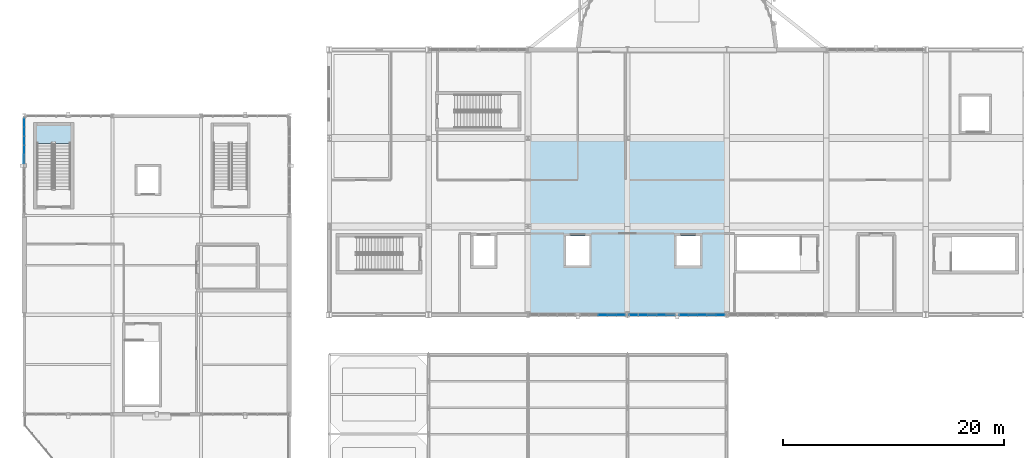
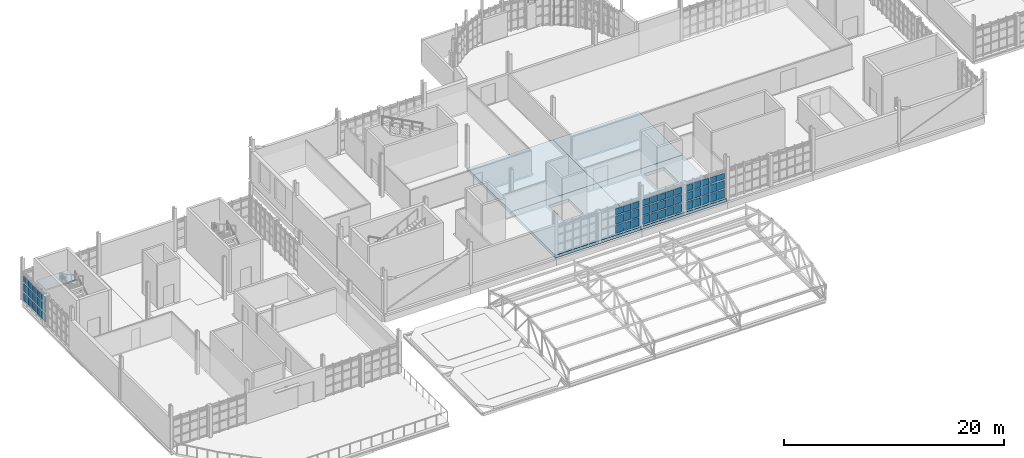
# One storey, part 86 of 128: 54 plates, 5 slabs, 5 elements without a shape of their own.
"""IFC4 building model written with IfcOpenShell, lengths in metres."""

from ifc_helpers import new_model, si_unit, direction, frame, origin, origin_2d, place, context, subcontext, project, spatial, polyline, rectangle, outline, extrude, material, layer, layer_set, type_object, element, aggregate, save


model = new_model("IFC4")

# Units and contexts
model_context = context("Model", 3, precision=1e-05, world=origin(), true_north=direction((0.0, 1.0)))
body_context = subcontext(model_context, "Body", "Model", "MODEL_VIEW")
ifc_project = project(units=[si_unit("LENGTHUNIT", "METRE"), si_unit("AREAUNIT", "SQUARE_METRE"), si_unit("VOLUMEUNIT", "CUBIC_METRE"), si_unit("PLANEANGLEUNIT", "RADIAN"), si_unit("MASSUNIT", "GRAM", prefix="KILO")], contexts=[model_context])

# Site, building, storey
site_placement = place(None, origin())
site = spatial("IfcSite", under=ifc_project, at=site_placement, CompositionType="ELEMENT")
building_placement = place(site_placement, origin())
building = spatial("IfcBuilding", under=site, at=building_placement, Name="Serraforn Aerial Cableway Station", CompositionType="ELEMENT")
storey_placement = place(building_placement, frame((0.0, 0.0, 9.0)))
storey = spatial("IfcBuildingStorey", under=building, at=storey_placement, Name="L02", CompositionType="ELEMENT", Elevation=9.0)

# Curtain wall, plates
ifc_material_1 = material(Name="Anodised bronze unitised curtain wall")
curtain_wall_type_1 = type_object("IfcCurtainWallType", Name="CW-SYS-3", PredefinedType="USERDEFINED", material=ifc_material_1)
curtain_wall_1_placement = place(storey_placement, origin())
curtain_wall_1 = element("IfcCurtainWall", 1, at=curtain_wall_1_placement, inside=storey, type_object=curtain_wall_type_1, Name="Unitised Curtain Wall CW-W-L02-W3A", ObjectType="UNITISED CURTAIN WALL", PredefinedType="USERDEFINED")
ifc_material_2 = material(Name="Solar-control low-E double glazing", Category="glass")
ifc_layer_1 = layer(ifc_material_2, 0.02587890625)
ifc_layer_set_1 = layer_set([ifc_layer_1], Name="Solar-control low-E double glazing")
plate_type_1 = type_object("IfcPlateType", Name="CW-GLZ-1", PredefinedType="CURTAIN_PANEL", material=ifc_layer_set_1)
plate_1_placement = place(storey_placement, frame((0.0, 35.39404296875, 1.23583984375), z_axis=(0.0, 0.0, 1.0), x_axis=(1.0, 0.0, 0.0)))
plate_1 = element("IfcPlate", 2, at=plate_1_placement, type_object=plate_type_1, Name="Curtain Wall Panel CW-W-L02-W3A-P1-2", PredefinedType="CURTAIN_PANEL", context=body_context, shape_type="SweptSolid", body=[
    extrude(rectangle(XDim=0.02587890625, YDim=0.739990234375, at=origin_2d()), origin(), (0.0, 0.0, 1.0), 0.87255859375),
])
plate_2_placement = place(storey_placement, frame((0.0, 34.58056640625, 0.209716796875), z_axis=(0.0, 0.0, 1.0), x_axis=(1.0, 0.0, 0.0)))
plate_2 = element("IfcPlate", 3, at=plate_2_placement, type_object=plate_type_1, Name="Curtain Wall Panel CW-W-L02-W3A-P2-1", PredefinedType="CURTAIN_PANEL", context=body_context, shape_type="SweptSolid", body=[
    extrude(rectangle(XDim=0.02587890625, YDim=0.764892578125, at=origin_2d()), origin(), (0.0, 0.0, 1.0), 0.87255859375),
])

# Curtain wall, plate
curtain_wall_type_2 = type_object("IfcCurtainWallType", Name="CW-SYS-22", PredefinedType="USERDEFINED", material=ifc_material_1)
curtain_wall_2_placement = place(storey_placement, origin())
curtain_wall_2 = element("IfcCurtainWall", 4, at=curtain_wall_2_placement, inside=storey, type_object=curtain_wall_type_2, Name="Unitised Curtain Wall CW-CV-L02-S4B", ObjectType="UNITISED CURTAIN WALL", PredefinedType="USERDEFINED")
plate_3_placement = place(storey_placement, frame((63.0185546875, 18.0, 2.26171875), z_axis=(0.0, 0.0, 1.0), x_axis=(1.0, 0.0, 0.0)))
plate_3 = element("IfcPlate", 5, at=plate_3_placement, type_object=plate_type_1, Name="Curtain Wall Panel CW-CV-L02-S4B-P5-3", PredefinedType="CURTAIN_PANEL", context=body_context, shape_type="SweptSolid", body=[
    extrude(rectangle(XDim=0.7509765625, YDim=0.02587890625, at=origin_2d()), origin(), (0.0, 0.0, 1.0), 0.667236328125),
])

# Plate
ifc_layer_2 = layer(ifc_material_2, 0.028076171875)
ifc_layer_set_2 = layer_set([ifc_layer_2], Name="Solar-control low-E double glazing")
plate_type_2 = type_object("IfcPlateType", Name="CW-GLZ-2", PredefinedType="CURTAIN_PANEL", material=ifc_layer_set_2)
plate_4_placement = place(storey_placement, frame((0.0, 35.39404296875, 2.26953125), z_axis=(0.0, 0.0, 1.0), x_axis=(1.0, 0.0, 0.0)))
plate_4 = element("IfcPlate", 6, at=plate_4_placement, type_object=plate_type_2, Name="Curtain Wall Panel CW-W-L02-W3A-P1-3", PredefinedType="CURTAIN_PANEL", context=body_context, shape_type="SweptSolid", body=[
    extrude(rectangle(XDim=0.028076171875, YDim=0.739990234375, at=origin_2d()), origin(), (0.0, 0.0, 1.0), 0.687255859375),
])

plate_5_placement = place(storey_placement, frame((0.0, 34.58056640625, 1.243408203125), z_axis=(0.0, 0.0, 1.0), x_axis=(1.0, 0.0, 0.0)))
plate_5 = element("IfcPlate", 7, at=plate_5_placement, type_object=plate_type_2, Name="Curtain Wall Panel CW-W-L02-W3A-P2-2", PredefinedType="CURTAIN_PANEL", context=body_context, shape_type="SweptSolid", body=[
    extrude(rectangle(XDim=0.028076171875, YDim=0.764892578125, at=origin_2d()), origin(), (0.0, 0.0, 1.0), 0.892578125),
])

plate_6_placement = place(storey_placement, frame((0.0, 33.752197265625, 0.21728515625), z_axis=(0.0, 0.0, 1.0), x_axis=(1.0, 0.0, 0.0)))
plate_6 = element("IfcPlate", 8, at=plate_6_placement, type_object=plate_type_2, Name="Curtain Wall Panel CW-W-L02-W3A-P3-1", PredefinedType="CURTAIN_PANEL", context=body_context, shape_type="SweptSolid", body=[
    extrude(rectangle(XDim=0.028076171875, YDim=0.760009765625, at=origin_2d()), origin(), (0.0, 0.0, 1.0), 0.892578125),
])

# Curtain wall, plate
curtain_wall_type_3 = type_object("IfcCurtainWallType", Name="CW-SYS-21", PredefinedType="USERDEFINED", material=ifc_material_1)
curtain_wall_3_placement = place(storey_placement, origin())
curtain_wall_3 = element("IfcCurtainWall", 9, at=curtain_wall_3_placement, inside=storey, type_object=curtain_wall_type_3, Name="Unitised Curtain Wall CW-CV-L02-S4A", ObjectType="UNITISED CURTAIN WALL", PredefinedType="USERDEFINED")
plate_7_placement = place(storey_placement, frame((55.177734375, 18.0, 0.19482421875), z_axis=(0.0, 0.0, 1.0), x_axis=(1.0, 0.0, 0.0)))
plate_7 = element("IfcPlate", 10, at=plate_7_placement, type_object=plate_type_2, Name="Curtain Wall Panel CW-CV-L02-S4A-P1-1", PredefinedType="CURTAIN_PANEL", context=body_context, shape_type="SweptSolid", body=[
    extrude(rectangle(XDim=0.75341796875, YDim=0.028076171875, at=origin_2d()), origin(), (0.0, 0.0, 1.0), 0.902587890625),
])

# Plate
ifc_layer_3 = layer(ifc_material_2, 0.030029296875)
ifc_layer_set_3 = layer_set([ifc_layer_3], Name="Solar-control low-E double glazing")
plate_type_3 = type_object("IfcPlateType", Name="CW-GLZ-3", PredefinedType="CURTAIN_PANEL", material=ifc_layer_set_3)
plate_8_placement = place(storey_placement, frame((0.0, 34.58056640625, 2.24169921875), z_axis=(0.0, 0.0, 1.0), x_axis=(1.0, 0.0, 0.0)))
plate_8 = element("IfcPlate", 11, at=plate_8_placement, type_object=plate_type_3, Name="Curtain Wall Panel CW-W-L02-W3A-P2-3", PredefinedType="CURTAIN_PANEL", context=body_context, shape_type="SweptSolid", body=[
    extrude(rectangle(XDim=0.030029296875, YDim=0.764892578125, at=origin_2d()), origin(), (0.0, 0.0, 1.0), 0.709716796875),
])

plate_9_placement = place(storey_placement, frame((0.0, 33.752197265625, 1.2158203125), z_axis=(0.0, 0.0, 1.0), x_axis=(1.0, 0.0, 0.0)))
plate_9 = element("IfcPlate", 12, at=plate_9_placement, type_object=plate_type_3, Name="Curtain Wall Panel CW-W-L02-W3A-P3-2", PredefinedType="CURTAIN_PANEL", context=body_context, shape_type="SweptSolid", body=[
    extrude(rectangle(XDim=0.030029296875, YDim=0.760009765625, at=origin_2d()), origin(), (0.0, 0.0, 1.0), 0.9150390625),
])

plate_10_placement = place(storey_placement, frame((0.0, 32.91748046875, 0.189697265625), z_axis=(0.0, 0.0, 1.0), x_axis=(1.0, 0.0, 0.0)))
plate_10 = element("IfcPlate", 13, at=plate_10_placement, type_object=plate_type_3, Name="Curtain Wall Panel CW-W-L02-W3A-P4-1", PredefinedType="CURTAIN_PANEL", context=body_context, shape_type="SweptSolid", body=[
    extrude(rectangle(XDim=0.030029296875, YDim=0.767333984375, at=origin_2d()), origin(), (0.0, 0.0, 1.0), 0.9150390625),
])

# Curtain wall, plate
curtain_wall_type_4 = type_object("IfcCurtainWallType", Name="CW-SYS-20", PredefinedType="USERDEFINED", material=ifc_material_1)
curtain_wall_4_placement = place(storey_placement, origin())
curtain_wall_4 = element("IfcCurtainWall", 14, at=curtain_wall_4_placement, inside=storey, type_object=curtain_wall_type_4, Name="Unitised Curtain Wall CW-CV-L02-S3B", ObjectType="UNITISED CURTAIN WALL", PredefinedType="USERDEFINED")
plate_11_placement = place(storey_placement, frame((52.36474609375, 18.0, 0.2021484375), z_axis=(0.0, 0.0, 1.0), x_axis=(1.0, 0.0, 0.0)))
plate_11 = element("IfcPlate", 15, at=plate_11_placement, type_object=plate_type_3, Name="Curtain Wall Panel CW-CV-L02-S3B-P3-1", PredefinedType="CURTAIN_PANEL", context=body_context, shape_type="SweptSolid", body=[
    extrude(rectangle(XDim=0.77587890625, YDim=0.030029296875, at=origin_2d()), origin(), (0.0, 0.0, 1.0), 0.887451171875),
])

# Plate
plate_12_placement = place(storey_placement, frame((55.177734375, 18.0, 1.228515625), z_axis=(0.0, 0.0, 1.0), x_axis=(1.0, 0.0, 0.0)))
plate_12 = element("IfcPlate", 16, at=plate_12_placement, type_object=plate_type_3, Name="Curtain Wall Panel CW-CV-L02-S4A-P1-2", PredefinedType="CURTAIN_PANEL", context=body_context, shape_type="SweptSolid", body=[
    extrude(rectangle(XDim=0.75341796875, YDim=0.030029296875, at=origin_2d()), origin(), (0.0, 0.0, 1.0), 0.887451171875),
])

plate_13_placement = place(storey_placement, frame((55.998291015625, 18.0, 0.2021484375), z_axis=(0.0, 0.0, 1.0), x_axis=(1.0, 0.0, 0.0)))
plate_13 = element("IfcPlate", 17, at=plate_13_placement, type_object=plate_type_3, Name="Curtain Wall Panel CW-CV-L02-S4A-P2-1", PredefinedType="CURTAIN_PANEL", context=body_context, shape_type="SweptSolid", body=[
    extrude(rectangle(XDim=0.77587890625, YDim=0.030029296875, at=origin_2d()), origin(), (0.0, 0.0, 1.0), 0.887451171875),
])

plate_14_placement = place(storey_placement, frame((59.7109375, 18.0, 0.2021484375), z_axis=(0.0, 0.0, 1.0), x_axis=(1.0, 0.0, 0.0)))
plate_14 = element("IfcPlate", 18, at=plate_14_placement, type_object=plate_type_3, Name="Curtain Wall Panel CW-CV-L02-S4B-P1-1", PredefinedType="CURTAIN_PANEL", context=body_context, shape_type="SweptSolid", body=[
    extrude(rectangle(XDim=0.745849609375, YDim=0.030029296875, at=origin_2d()), origin(), (0.0, 0.0, 1.0), 0.887451171875),
])

ifc_layer_4 = layer(ifc_material_2, 0.031982421875)
ifc_layer_set_4 = layer_set([ifc_layer_4], Name="Solar-control low-E double glazing")
plate_type_4 = type_object("IfcPlateType", Name="CW-GLZ-4", PredefinedType="CURTAIN_PANEL", material=ifc_layer_set_4)
plate_15_placement = place(storey_placement, frame((0.0, 33.752197265625, 2.246826171875), z_axis=(0.0, 0.0, 1.0), x_axis=(1.0, 0.0, 0.0)))
plate_15 = element("IfcPlate", 19, at=plate_15_placement, type_object=plate_type_4, Name="Curtain Wall Panel CW-W-L02-W3A-P3-3", PredefinedType="CURTAIN_PANEL", context=body_context, shape_type="SweptSolid", body=[
    extrude(rectangle(XDim=0.031982421875, YDim=0.760009765625, at=origin_2d()), origin(), (0.0, 0.0, 1.0), 0.697265625),
])

plate_16_placement = place(storey_placement, frame((0.0, 32.91748046875, 1.220703125), z_axis=(0.0, 0.0, 1.0), x_axis=(1.0, 0.0, 0.0)))
plate_16 = element("IfcPlate", 20, at=plate_16_placement, type_object=plate_type_4, Name="Curtain Wall Panel CW-W-L02-W3A-P4-2", PredefinedType="CURTAIN_PANEL", context=body_context, shape_type="SweptSolid", body=[
    extrude(rectangle(XDim=0.031982421875, YDim=0.767333984375, at=origin_2d()), origin(), (0.0, 0.0, 1.0), 0.902587890625),
])

plate_17_placement = place(storey_placement, frame((0.0, 32.110595703125, 0.19482421875), z_axis=(0.0, 0.0, 1.0), x_axis=(1.0, 0.0, 0.0)))
plate_17 = element("IfcPlate", 21, at=plate_17_placement, type_object=plate_type_4, Name="Curtain Wall Panel CW-W-L02-W3A-P5-1", PredefinedType="CURTAIN_PANEL", context=body_context, shape_type="SweptSolid", body=[
    extrude(rectangle(XDim=0.031982421875, YDim=0.744873046875, at=origin_2d()), origin(), (0.0, 0.0, 1.0), 0.902587890625),
])

plate_18_placement = place(storey_placement, frame((52.36474609375, 18.0, 1.23583984375), z_axis=(0.0, 0.0, 1.0), x_axis=(1.0, 0.0, 0.0)))
plate_18 = element("IfcPlate", 22, at=plate_18_placement, type_object=plate_type_4, Name="Curtain Wall Panel CW-CV-L02-S3B-P3-2", PredefinedType="CURTAIN_PANEL", context=body_context, shape_type="SweptSolid", body=[
    extrude(rectangle(XDim=0.77587890625, YDim=0.031982421875, at=origin_2d()), origin(), (0.0, 0.0, 1.0), 0.87255859375),
])

plate_19_placement = place(storey_placement, frame((53.19921875, 18.0, 0.209716796875), z_axis=(0.0, 0.0, 1.0), x_axis=(1.0, 0.0, 0.0)))
plate_19 = element("IfcPlate", 23, at=plate_19_placement, type_object=plate_type_4, Name="Curtain Wall Panel CW-CV-L02-S3B-P4-1", PredefinedType="CURTAIN_PANEL", context=body_context, shape_type="SweptSolid", body=[
    extrude(rectangle(XDim=0.77099609375, YDim=0.031982421875, at=origin_2d()), origin(), (0.0, 0.0, 1.0), 0.87255859375),
])

plate_20_placement = place(storey_placement, frame((55.177734375, 18.0, 2.26171875), z_axis=(0.0, 0.0, 1.0), x_axis=(1.0, 0.0, 0.0)))
plate_20 = element("IfcPlate", 24, at=plate_20_placement, type_object=plate_type_4, Name="Curtain Wall Panel CW-CV-L02-S4A-P1-3", PredefinedType="CURTAIN_PANEL", context=body_context, shape_type="SweptSolid", body=[
    extrude(rectangle(XDim=0.75341796875, YDim=0.031982421875, at=origin_2d()), origin(), (0.0, 0.0, 1.0), 0.667236328125),
])

plate_21_placement = place(storey_placement, frame((55.998291015625, 18.0, 1.23583984375), z_axis=(0.0, 0.0, 1.0), x_axis=(1.0, 0.0, 0.0)))
plate_21 = element("IfcPlate", 25, at=plate_21_placement, type_object=plate_type_4, Name="Curtain Wall Panel CW-CV-L02-S4A-P2-2", PredefinedType="CURTAIN_PANEL", context=body_context, shape_type="SweptSolid", body=[
    extrude(rectangle(XDim=0.77587890625, YDim=0.031982421875, at=origin_2d()), origin(), (0.0, 0.0, 1.0), 0.87255859375),
])

plate_22_placement = place(storey_placement, frame((56.832763671875, 18.0, 0.209716796875), z_axis=(0.0, 0.0, 1.0), x_axis=(1.0, 0.0, 0.0)))
plate_22 = element("IfcPlate", 26, at=plate_22_placement, type_object=plate_type_4, Name="Curtain Wall Panel CW-CV-L02-S4A-P3-1", PredefinedType="CURTAIN_PANEL", context=body_context, shape_type="SweptSolid", body=[
    extrude(rectangle(XDim=0.77099609375, YDim=0.031982421875, at=origin_2d()), origin(), (0.0, 0.0, 1.0), 0.87255859375),
])

plate_23_placement = place(storey_placement, frame((59.7109375, 18.0, 1.23583984375), z_axis=(0.0, 0.0, 1.0), x_axis=(1.0, 0.0, 0.0)))
plate_23 = element("IfcPlate", 27, at=plate_23_placement, type_object=plate_type_4, Name="Curtain Wall Panel CW-CV-L02-S4B-P1-2", PredefinedType="CURTAIN_PANEL", context=body_context, shape_type="SweptSolid", body=[
    extrude(rectangle(XDim=0.745849609375, YDim=0.031982421875, at=origin_2d()), origin(), (0.0, 0.0, 1.0), 0.87255859375),
])

plate_24_placement = place(storey_placement, frame((60.5302734375, 18.0, 0.209716796875), z_axis=(0.0, 0.0, 1.0), x_axis=(1.0, 0.0, 0.0)))
plate_24 = element("IfcPlate", 28, at=plate_24_placement, type_object=plate_type_4, Name="Curtain Wall Panel CW-CV-L02-S4B-P2-1", PredefinedType="CURTAIN_PANEL", context=body_context, shape_type="SweptSolid", body=[
    extrude(rectangle(XDim=0.77099609375, YDim=0.031982421875, at=origin_2d()), origin(), (0.0, 0.0, 1.0), 0.87255859375),
])

ifc_layer_5 = layer(ifc_material_2, 0.033935546875)
ifc_layer_set_5 = layer_set([ifc_layer_5], Name="Solar-control low-E double glazing")
plate_type_5 = type_object("IfcPlateType", Name="CW-GLZ-5", PredefinedType="CURTAIN_PANEL", material=ifc_layer_set_5)
plate_25_placement = place(storey_placement, frame((0.0, 32.91748046875, 2.25439453125), z_axis=(0.0, 0.0, 1.0), x_axis=(1.0, 0.0, 0.0)))
plate_25 = element("IfcPlate", 29, at=plate_25_placement, type_object=plate_type_5, Name="Curtain Wall Panel CW-W-L02-W3A-P4-3", PredefinedType="CURTAIN_PANEL", context=body_context, shape_type="SweptSolid", body=[
    extrude(rectangle(XDim=0.033935546875, YDim=0.767333984375, at=origin_2d()), origin(), (0.0, 0.0, 1.0), 0.682373046875),
])

plate_26_placement = place(storey_placement, frame((0.0, 32.110595703125, 1.228515625), z_axis=(0.0, 0.0, 1.0), x_axis=(1.0, 0.0, 0.0)))
plate_26 = element("IfcPlate", 30, at=plate_26_placement, type_object=plate_type_5, Name="Curtain Wall Panel CW-W-L02-W3A-P5-2", PredefinedType="CURTAIN_PANEL", context=body_context, shape_type="SweptSolid", body=[
    extrude(rectangle(XDim=0.033935546875, YDim=0.744873046875, at=origin_2d()), origin(), (0.0, 0.0, 1.0), 0.887451171875),
])

plate_27_placement = place(storey_placement, frame((52.36474609375, 18.0, 2.26953125), z_axis=(0.0, 0.0, 1.0), x_axis=(1.0, 0.0, 0.0)))
plate_27 = element("IfcPlate", 31, at=plate_27_placement, type_object=plate_type_5, Name="Curtain Wall Panel CW-CV-L02-S3B-P3-3", PredefinedType="CURTAIN_PANEL", context=body_context, shape_type="SweptSolid", body=[
    extrude(rectangle(XDim=0.77587890625, YDim=0.033935546875, at=origin_2d()), origin(), (0.0, 0.0, 1.0), 0.687255859375),
])

plate_28_placement = place(storey_placement, frame((53.19921875, 18.0, 1.243408203125), z_axis=(0.0, 0.0, 1.0), x_axis=(1.0, 0.0, 0.0)))
plate_28 = element("IfcPlate", 32, at=plate_28_placement, type_object=plate_type_5, Name="Curtain Wall Panel CW-CV-L02-S3B-P4-2", PredefinedType="CURTAIN_PANEL", context=body_context, shape_type="SweptSolid", body=[
    extrude(rectangle(XDim=0.77099609375, YDim=0.033935546875, at=origin_2d()), origin(), (0.0, 0.0, 1.0), 0.892578125),
])

plate_29_placement = place(storey_placement, frame((54.014892578125, 18.0, 0.21728515625), z_axis=(0.0, 0.0, 1.0), x_axis=(1.0, 0.0, 0.0)))
plate_29 = element("IfcPlate", 33, at=plate_29_placement, type_object=plate_type_5, Name="Curtain Wall Panel CW-CV-L02-S3B-P5-1", PredefinedType="CURTAIN_PANEL", context=body_context, shape_type="SweptSolid", body=[
    extrude(rectangle(XDim=0.728515625, YDim=0.033935546875, at=origin_2d()), origin(), (0.0, 0.0, 1.0), 0.892578125),
])

plate_30_placement = place(storey_placement, frame((55.998291015625, 18.0, 2.26953125), z_axis=(0.0, 0.0, 1.0), x_axis=(1.0, 0.0, 0.0)))
plate_30 = element("IfcPlate", 34, at=plate_30_placement, type_object=plate_type_5, Name="Curtain Wall Panel CW-CV-L02-S4A-P2-3", PredefinedType="CURTAIN_PANEL", context=body_context, shape_type="SweptSolid", body=[
    extrude(rectangle(XDim=0.77587890625, YDim=0.033935546875, at=origin_2d()), origin(), (0.0, 0.0, 1.0), 0.687255859375),
])

plate_31_placement = place(storey_placement, frame((56.832763671875, 18.0, 1.243408203125), z_axis=(0.0, 0.0, 1.0), x_axis=(1.0, 0.0, 0.0)))
plate_31 = element("IfcPlate", 35, at=plate_31_placement, type_object=plate_type_5, Name="Curtain Wall Panel CW-CV-L02-S4A-P3-2", PredefinedType="CURTAIN_PANEL", context=body_context, shape_type="SweptSolid", body=[
    extrude(rectangle(XDim=0.77099609375, YDim=0.033935546875, at=origin_2d()), origin(), (0.0, 0.0, 1.0), 0.892578125),
])

plate_32_placement = place(storey_placement, frame((57.6669921875, 18.0, 0.21728515625), z_axis=(0.0, 0.0, 1.0), x_axis=(1.0, 0.0, 0.0)))
plate_32 = element("IfcPlate", 36, at=plate_32_placement, type_object=plate_type_5, Name="Curtain Wall Panel CW-CV-L02-S4A-P4-1", PredefinedType="CURTAIN_PANEL", context=body_context, shape_type="SweptSolid", body=[
    extrude(rectangle(XDim=0.765869140625, YDim=0.033935546875, at=origin_2d()), origin(), (0.0, 0.0, 1.0), 0.892578125),
])

plate_33_placement = place(storey_placement, frame((59.7109375, 18.0, 2.26953125), z_axis=(0.0, 0.0, 1.0), x_axis=(1.0, 0.0, 0.0)))
plate_33 = element("IfcPlate", 37, at=plate_33_placement, type_object=plate_type_5, Name="Curtain Wall Panel CW-CV-L02-S4B-P1-3", PredefinedType="CURTAIN_PANEL", context=body_context, shape_type="SweptSolid", body=[
    extrude(rectangle(XDim=0.745849609375, YDim=0.033935546875, at=origin_2d()), origin(), (0.0, 0.0, 1.0), 0.687255859375),
])

plate_34_placement = place(storey_placement, frame((60.5302734375, 18.0, 1.243408203125), z_axis=(0.0, 0.0, 1.0), x_axis=(1.0, 0.0, 0.0)))
plate_34 = element("IfcPlate", 38, at=plate_34_placement, type_object=plate_type_5, Name="Curtain Wall Panel CW-CV-L02-S4B-P2-2", PredefinedType="CURTAIN_PANEL", context=body_context, shape_type="SweptSolid", body=[
    extrude(rectangle(XDim=0.77099609375, YDim=0.033935546875, at=origin_2d()), origin(), (0.0, 0.0, 1.0), 0.892578125),
])

plate_35_placement = place(storey_placement, frame((61.36474609375, 18.0, 0.21728515625), z_axis=(0.0, 0.0, 1.0), x_axis=(1.0, 0.0, 0.0)))
plate_35 = element("IfcPlate", 39, at=plate_35_placement, type_object=plate_type_5, Name="Curtain Wall Panel CW-CV-L02-S4B-P3-1", PredefinedType="CURTAIN_PANEL", context=body_context, shape_type="SweptSolid", body=[
    extrude(rectangle(XDim=0.765869140625, YDim=0.033935546875, at=origin_2d()), origin(), (0.0, 0.0, 1.0), 0.892578125),
])

ifc_layer_6 = layer(ifc_material_2, 0.035888671875)
ifc_layer_set_6 = layer_set([ifc_layer_6], Name="Solar-control low-E double glazing")
plate_type_6 = type_object("IfcPlateType", Name="CW-GLZ-6", PredefinedType="CURTAIN_PANEL", material=ifc_layer_set_6)
plate_36_placement = place(storey_placement, frame((0.0, 32.110595703125, 2.26171875), z_axis=(0.0, 0.0, 1.0), x_axis=(1.0, 0.0, 0.0)))
plate_36 = element("IfcPlate", 40, at=plate_36_placement, type_object=plate_type_6, Name="Curtain Wall Panel CW-W-L02-W3A-P5-3", PredefinedType="CURTAIN_PANEL", context=body_context, shape_type="SweptSolid", body=[
    extrude(rectangle(XDim=0.035888671875, YDim=0.744873046875, at=origin_2d()), origin(), (0.0, 0.0, 1.0), 0.667236328125),
])

plate_37_placement = place(storey_placement, frame((53.19921875, 18.0, 2.24169921875), z_axis=(0.0, 0.0, 1.0), x_axis=(1.0, 0.0, 0.0)))
plate_37 = element("IfcPlate", 41, at=plate_37_placement, type_object=plate_type_6, Name="Curtain Wall Panel CW-CV-L02-S3B-P4-3", PredefinedType="CURTAIN_PANEL", context=body_context, shape_type="SweptSolid", body=[
    extrude(rectangle(XDim=0.77099609375, YDim=0.035888671875, at=origin_2d()), origin(), (0.0, 0.0, 1.0), 0.709716796875),
])

plate_38_placement = place(storey_placement, frame((54.014892578125, 18.0, 1.2158203125), z_axis=(0.0, 0.0, 1.0), x_axis=(1.0, 0.0, 0.0)))
plate_38 = element("IfcPlate", 42, at=plate_38_placement, type_object=plate_type_6, Name="Curtain Wall Panel CW-CV-L02-S3B-P5-2", PredefinedType="CURTAIN_PANEL", context=body_context, shape_type="SweptSolid", body=[
    extrude(rectangle(XDim=0.728515625, YDim=0.035888671875, at=origin_2d()), origin(), (0.0, 0.0, 1.0), 0.9150390625),
])

plate_39_placement = place(storey_placement, frame((56.832763671875, 18.0, 2.24169921875), z_axis=(0.0, 0.0, 1.0), x_axis=(1.0, 0.0, 0.0)))
plate_39 = element("IfcPlate", 43, at=plate_39_placement, type_object=plate_type_6, Name="Curtain Wall Panel CW-CV-L02-S4A-P3-3", PredefinedType="CURTAIN_PANEL", context=body_context, shape_type="SweptSolid", body=[
    extrude(rectangle(XDim=0.77099609375, YDim=0.035888671875, at=origin_2d()), origin(), (0.0, 0.0, 1.0), 0.709716796875),
])

plate_40_placement = place(storey_placement, frame((57.6669921875, 18.0, 1.2158203125), z_axis=(0.0, 0.0, 1.0), x_axis=(1.0, 0.0, 0.0)))
plate_40 = element("IfcPlate", 44, at=plate_40_placement, type_object=plate_type_6, Name="Curtain Wall Panel CW-CV-L02-S4A-P4-2", PredefinedType="CURTAIN_PANEL", context=body_context, shape_type="SweptSolid", body=[
    extrude(rectangle(XDim=0.765869140625, YDim=0.035888671875, at=origin_2d()), origin(), (0.0, 0.0, 1.0), 0.9150390625),
])

plate_41_placement = place(storey_placement, frame((58.494140625, 18.0, 0.189697265625), z_axis=(0.0, 0.0, 1.0), x_axis=(1.0, 0.0, 0.0)))
plate_41 = element("IfcPlate", 45, at=plate_41_placement, type_object=plate_type_6, Name="Curtain Wall Panel CW-CV-L02-S4A-P5-1", PredefinedType="CURTAIN_PANEL", context=body_context, shape_type="SweptSolid", body=[
    extrude(rectangle(XDim=0.745849609375, YDim=0.035888671875, at=origin_2d()), origin(), (0.0, 0.0, 1.0), 0.9150390625),
])

plate_42_placement = place(storey_placement, frame((60.5302734375, 18.0, 2.24169921875), z_axis=(0.0, 0.0, 1.0), x_axis=(1.0, 0.0, 0.0)))
plate_42 = element("IfcPlate", 46, at=plate_42_placement, type_object=plate_type_6, Name="Curtain Wall Panel CW-CV-L02-S4B-P2-3", PredefinedType="CURTAIN_PANEL", context=body_context, shape_type="SweptSolid", body=[
    extrude(rectangle(XDim=0.77099609375, YDim=0.035888671875, at=origin_2d()), origin(), (0.0, 0.0, 1.0), 0.709716796875),
])

plate_43_placement = place(storey_placement, frame((61.36474609375, 18.0, 1.2158203125), z_axis=(0.0, 0.0, 1.0), x_axis=(1.0, 0.0, 0.0)))
plate_43 = element("IfcPlate", 47, at=plate_43_placement, type_object=plate_type_6, Name="Curtain Wall Panel CW-CV-L02-S4B-P3-2", PredefinedType="CURTAIN_PANEL", context=body_context, shape_type="SweptSolid", body=[
    extrude(rectangle(XDim=0.765869140625, YDim=0.035888671875, at=origin_2d()), origin(), (0.0, 0.0, 1.0), 0.9150390625),
])

plate_44_placement = place(storey_placement, frame((62.205322265625, 18.0, 0.189697265625), z_axis=(0.0, 0.0, 1.0), x_axis=(1.0, 0.0, 0.0)))
plate_44 = element("IfcPlate", 48, at=plate_44_placement, type_object=plate_type_6, Name="Curtain Wall Panel CW-CV-L02-S4B-P4-1", PredefinedType="CURTAIN_PANEL", context=body_context, shape_type="SweptSolid", body=[
    extrude(rectangle(XDim=0.7734375, YDim=0.035888671875, at=origin_2d()), origin(), (0.0, 0.0, 1.0), 0.9150390625),
])

ifc_layer_7 = layer(ifc_material_2, 0.029052734375)
ifc_layer_set_7 = layer_set([ifc_layer_7], Name="Solar-control low-E double glazing")
plate_type_7 = type_object("IfcPlateType", Name="CW-GLZ-7", PredefinedType="CURTAIN_PANEL", material=ifc_layer_set_7)
plate_45_placement = place(storey_placement, frame((54.014892578125, 18.0, 2.246826171875), z_axis=(0.0, 0.0, 1.0), x_axis=(1.0, 0.0, 0.0)))
plate_45 = element("IfcPlate", 49, at=plate_45_placement, type_object=plate_type_7, Name="Curtain Wall Panel CW-CV-L02-S3B-P5-3", PredefinedType="CURTAIN_PANEL", context=body_context, shape_type="SweptSolid", body=[
    extrude(rectangle(XDim=0.728515625, YDim=0.029052734375, at=origin_2d()), origin(), (0.0, 0.0, 1.0), 0.697265625),
])

aggregate(curtain_wall_4, [plate_11, plate_18, plate_27, plate_19, plate_28, plate_37, plate_29, plate_38, plate_45])

plate_46_placement = place(storey_placement, frame((57.6669921875, 18.0, 2.246826171875), z_axis=(0.0, 0.0, 1.0), x_axis=(1.0, 0.0, 0.0)))
plate_46 = element("IfcPlate", 50, at=plate_46_placement, type_object=plate_type_7, Name="Curtain Wall Panel CW-CV-L02-S4A-P4-3", PredefinedType="CURTAIN_PANEL", context=body_context, shape_type="SweptSolid", body=[
    extrude(rectangle(XDim=0.765869140625, YDim=0.029052734375, at=origin_2d()), origin(), (0.0, 0.0, 1.0), 0.697265625),
])

plate_47_placement = place(storey_placement, frame((58.494140625, 18.0, 1.220703125), z_axis=(0.0, 0.0, 1.0), x_axis=(1.0, 0.0, 0.0)))
plate_47 = element("IfcPlate", 51, at=plate_47_placement, type_object=plate_type_7, Name="Curtain Wall Panel CW-CV-L02-S4A-P5-2", PredefinedType="CURTAIN_PANEL", context=body_context, shape_type="SweptSolid", body=[
    extrude(rectangle(XDim=0.745849609375, YDim=0.029052734375, at=origin_2d()), origin(), (0.0, 0.0, 1.0), 0.902587890625),
])

plate_48_placement = place(storey_placement, frame((61.36474609375, 18.0, 2.246826171875), z_axis=(0.0, 0.0, 1.0), x_axis=(1.0, 0.0, 0.0)))
plate_48 = element("IfcPlate", 52, at=plate_48_placement, type_object=plate_type_7, Name="Curtain Wall Panel CW-CV-L02-S4B-P3-3", PredefinedType="CURTAIN_PANEL", context=body_context, shape_type="SweptSolid", body=[
    extrude(rectangle(XDim=0.765869140625, YDim=0.029052734375, at=origin_2d()), origin(), (0.0, 0.0, 1.0), 0.697265625),
])

plate_49_placement = place(storey_placement, frame((62.205322265625, 18.0, 1.220703125), z_axis=(0.0, 0.0, 1.0), x_axis=(1.0, 0.0, 0.0)))
plate_49 = element("IfcPlate", 53, at=plate_49_placement, type_object=plate_type_7, Name="Curtain Wall Panel CW-CV-L02-S4B-P4-2", PredefinedType="CURTAIN_PANEL", context=body_context, shape_type="SweptSolid", body=[
    extrude(rectangle(XDim=0.7734375, YDim=0.029052734375, at=origin_2d()), origin(), (0.0, 0.0, 1.0), 0.902587890625),
])

plate_50_placement = place(storey_placement, frame((63.0185546875, 18.0, 0.19482421875), z_axis=(0.0, 0.0, 1.0), x_axis=(1.0, 0.0, 0.0)))
plate_50 = element("IfcPlate", 54, at=plate_50_placement, type_object=plate_type_7, Name="Curtain Wall Panel CW-CV-L02-S4B-P5-1", PredefinedType="CURTAIN_PANEL", context=body_context, shape_type="SweptSolid", body=[
    extrude(rectangle(XDim=0.7509765625, YDim=0.029052734375, at=origin_2d()), origin(), (0.0, 0.0, 1.0), 0.902587890625),
])

ifc_layer_8 = layer(ifc_material_2, 0.031005859375)
ifc_layer_set_8 = layer_set([ifc_layer_8], Name="Solar-control low-E double glazing")
plate_type_8 = type_object("IfcPlateType", Name="CW-GLZ-8", PredefinedType="CURTAIN_PANEL", material=ifc_layer_set_8)
plate_51_placement = place(storey_placement, frame((0.0, 35.39404296875, 0.2021484375), z_axis=(0.0, 0.0, 1.0), x_axis=(1.0, 0.0, 0.0)))
plate_51 = element("IfcPlate", 55, at=plate_51_placement, type_object=plate_type_8, Name="Curtain Wall Panel CW-W-L02-W3A-P1-1", PredefinedType="CURTAIN_PANEL", context=body_context, shape_type="SweptSolid", body=[
    extrude(rectangle(XDim=0.031005859375, YDim=0.739990234375, at=origin_2d()), origin(), (0.0, 0.0, 1.0), 0.887451171875),
])

aggregate(curtain_wall_1, [plate_51, plate_1, plate_4, plate_2, plate_5, plate_8, plate_6, plate_9, plate_15, plate_10, plate_16, plate_25, plate_17, plate_26, plate_36])

plate_52_placement = place(storey_placement, frame((58.494140625, 18.0, 2.25439453125), z_axis=(0.0, 0.0, 1.0), x_axis=(1.0, 0.0, 0.0)))
plate_52 = element("IfcPlate", 56, at=plate_52_placement, type_object=plate_type_8, Name="Curtain Wall Panel CW-CV-L02-S4A-P5-3", PredefinedType="CURTAIN_PANEL", context=body_context, shape_type="SweptSolid", body=[
    extrude(rectangle(XDim=0.745849609375, YDim=0.031005859375, at=origin_2d()), origin(), (0.0, 0.0, 1.0), 0.682373046875),
])

aggregate(curtain_wall_3, [plate_7, plate_12, plate_20, plate_13, plate_21, plate_30, plate_22, plate_31, plate_39, plate_32, plate_40, plate_46, plate_41, plate_47, plate_52])

plate_53_placement = place(storey_placement, frame((62.205322265625, 18.0, 2.25439453125), z_axis=(0.0, 0.0, 1.0), x_axis=(1.0, 0.0, 0.0)))
plate_53 = element("IfcPlate", 57, at=plate_53_placement, type_object=plate_type_8, Name="Curtain Wall Panel CW-CV-L02-S4B-P4-3", PredefinedType="CURTAIN_PANEL", context=body_context, shape_type="SweptSolid", body=[
    extrude(rectangle(XDim=0.7734375, YDim=0.031005859375, at=origin_2d()), origin(), (0.0, 0.0, 1.0), 0.682373046875),
])

plate_54_placement = place(storey_placement, frame((63.0185546875, 18.0, 1.228515625), z_axis=(0.0, 0.0, 1.0), x_axis=(1.0, 0.0, 0.0)))
plate_54 = element("IfcPlate", 58, at=plate_54_placement, type_object=plate_type_8, Name="Curtain Wall Panel CW-CV-L02-S4B-P5-2", PredefinedType="CURTAIN_PANEL", context=body_context, shape_type="SweptSolid", body=[
    extrude(rectangle(XDim=0.7509765625, YDim=0.031005859375, at=origin_2d()), origin(), (0.0, 0.0, 1.0), 0.887451171875),
])

aggregate(curtain_wall_2, [plate_14, plate_23, plate_33, plate_24, plate_34, plate_42, plate_35, plate_43, plate_48, plate_44, plate_49, plate_53, plate_50, plate_54, plate_3])

# Slabs
ifc_material_3 = material(Name="Concrete C40/50", Category="concrete")
ifc_layer_9 = layer(ifc_material_3, 0.340087890625)
ifc_layer_set_9 = layer_set([ifc_layer_9], Name="Concrete C40/50")
slab_type_1 = type_object("IfcSlabType", Name="SLB-FLR-340", PredefinedType="FLOOR", material=ifc_layer_set_9)
slab_1_placement = place(storey_placement, frame((0.0, 0.0, -0.340087890625)))
element("IfcSlab", 59, at=slab_1_placement, inside=storey, type_object=slab_type_1, Name="Floor Slab CV-L02-3-1", PredefinedType="FLOOR", context=body_context, shape_type="SweptSolid", body=[
    extrude(outline(polyline([(45.60009765625, 18.0), (54.60009765625, 18.0), (54.60009765625, 26.0), (45.60009765625, 26.0), (45.60009765625, 18.0)]), holes=[polyline([(49.050048828125, 22.449951171875), (51.14990234375, 22.449951171875), (51.14990234375, 25.14990234375), (49.050048828125, 25.14990234375), (49.050048828125, 22.449951171875)])]), origin(), (0.0, 0.0, 1.0), 0.340087890625),
])
slab_2_placement = place(storey_placement, frame((0.0, 0.0, -0.340087890625)))
element("IfcSlab", 60, at=slab_2_placement, inside=storey, type_object=slab_type_1, Name="Floor Slab CV-L02-3-2", PredefinedType="FLOOR", context=body_context, shape_type="SweptSolid", body=[
    extrude(outline(polyline([(45.60009765625, 26.0), (54.60009765625, 26.0), (54.60009765625, 34.0), (45.60009765625, 34.0), (45.60009765625, 26.0)])), origin(), (0.0, 0.0, 1.0), 0.340087890625),
])
slab_3_placement = place(storey_placement, frame((0.0, 0.0, -0.340087890625)))
element("IfcSlab", 61, at=slab_3_placement, inside=storey, type_object=slab_type_1, Name="Floor Slab CV-L02-4-1", PredefinedType="FLOOR", context=body_context, shape_type="SweptSolid", body=[
    extrude(outline(polyline([(54.60009765625, 18.0), (63.60009765625, 18.0), (63.60009765625, 26.0), (54.60009765625, 26.0), (54.60009765625, 18.0)]), holes=[polyline([(59.050048828125, 22.449951171875), (61.14990234375, 22.449951171875), (61.14990234375, 25.14990234375), (59.050048828125, 25.14990234375), (59.050048828125, 22.449951171875)])]), origin(), (0.0, 0.0, 1.0), 0.340087890625),
])
slab_4_placement = place(storey_placement, frame((0.0, 0.0, -0.340087890625)))
element("IfcSlab", 62, at=slab_4_placement, inside=storey, type_object=slab_type_1, Name="Floor Slab CV-L02-4-2", PredefinedType="FLOOR", context=body_context, shape_type="SweptSolid", body=[
    extrude(outline(polyline([(54.60009765625, 26.0), (63.60009765625, 26.0), (63.60009765625, 34.0), (54.60009765625, 34.0), (54.60009765625, 26.0)])), origin(), (0.0, 0.0, 1.0), 0.340087890625),
])

# Stair, slab
ifc_material_4 = material(Name="Concrete C35/45", Category="concrete")
stair_type = type_object("IfcStairType", Name="STR-DL-1", PredefinedType="HALF_TURN_STAIR", material=ifc_material_4)
stair_placement = place(storey_placement, origin())
stair = element("IfcStair", 63, at=stair_placement, inside=storey, type_object=stair_type, Name="L02 West Wing North Exit Stair 1", PredefinedType="HALF_TURN_STAIR")
ifc_layer_10 = layer(ifc_material_4, 0.159912109375)
ifc_layer_set_10 = layer_set([ifc_layer_10], Name="Concrete C35/45")
slab_type_2 = type_object("IfcSlabType", Name="SLB-LND-160", PredefinedType="LANDING", material=ifc_layer_set_10)
slab_5_placement = place(storey_placement, frame((0.0, 0.0, 2.239990234375)))
slab_5 = element("IfcSlab", 64, at=slab_5_placement, type_object=slab_type_2, Name="ST-01 landing 1", PredefinedType="LANDING", context=body_context, shape_type="SweptSolid", body=[
    extrude(outline(polyline([(4.320068359375, 33.5), (4.320068359375, 35.219970703125), (1.02001953125, 35.219970703125), (1.02001953125, 33.5), (4.320068359375, 33.5)])), origin(), (0.0, 0.0, 1.0), 0.159912109375),
])
aggregate(stair, [slab_5])

save(model, "model.ifc")
